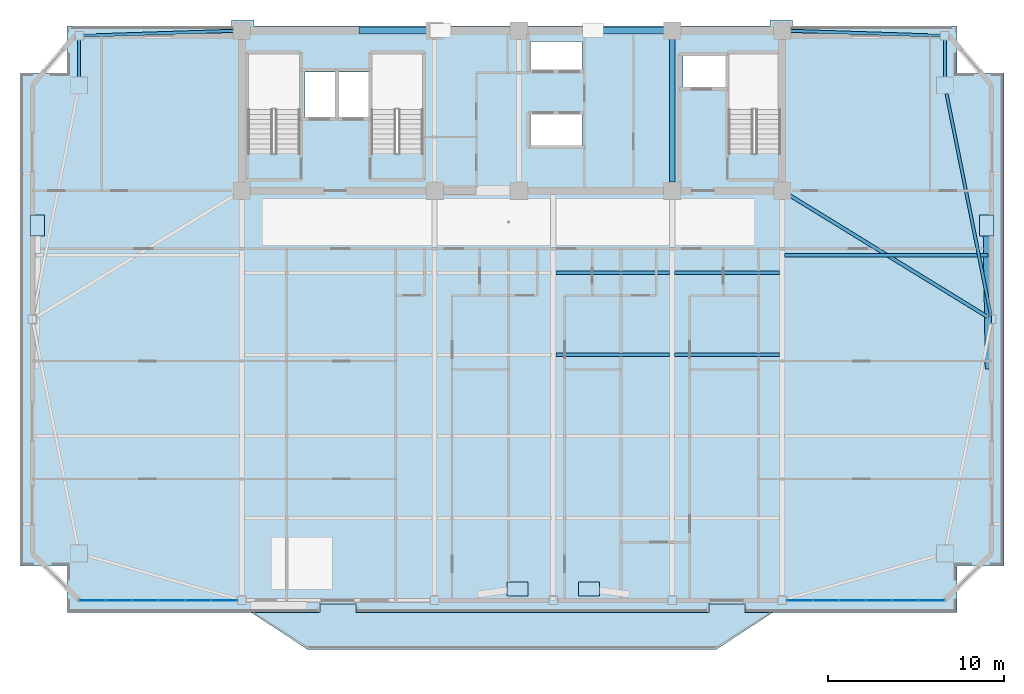
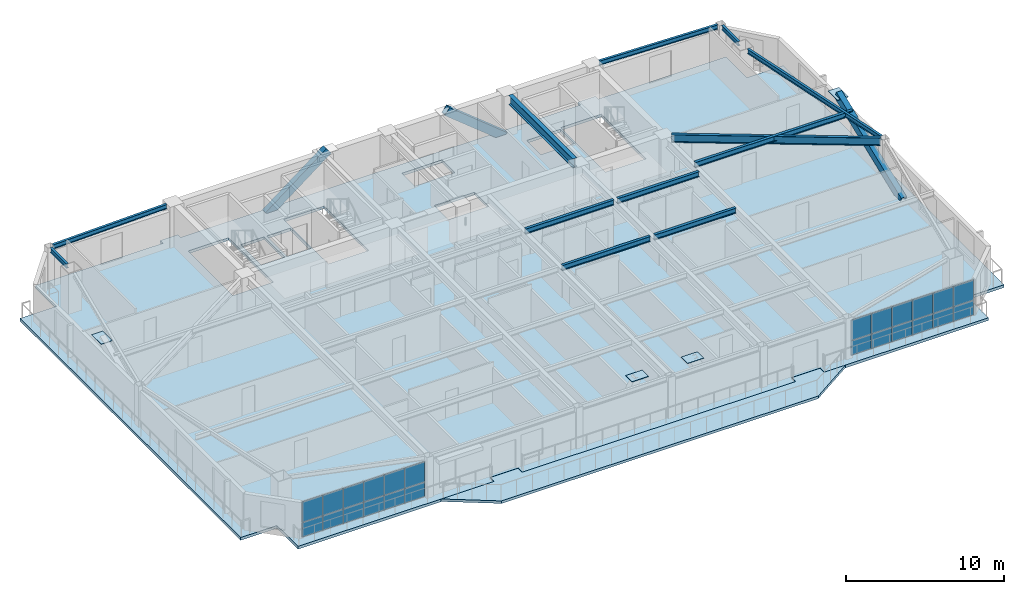
# One storey, part 7 of 19: 28 plates, 12 beams, 3 members, 2 slabs, 2 elements without a shape of their own.
"""IFC4 building model written with IfcOpenShell, lengths in metres."""

from ifc_helpers import new_model, si_unit, direction, frame, origin, origin_2d, place, context, subcontext, project, spatial, polyline, rectangle, hollow_rectangle, i_section, outline, extrude, source, transform, mapped, material, layer, layer_set, material_profile, profile_set, type_object, element, aggregate, save


model = new_model("IFC4")

# Units and contexts
model_context = context("Model", 3, precision=1e-05, world=origin(), true_north=direction((0.0, 1.0)))
body_context = subcontext(model_context, "Body", "Model", "MODEL_VIEW")
ifc_project = project(units=[si_unit("LENGTHUNIT", "METRE"), si_unit("AREAUNIT", "SQUARE_METRE"), si_unit("VOLUMEUNIT", "CUBIC_METRE"), si_unit("PLANEANGLEUNIT", "RADIAN"), si_unit("MASSUNIT", "GRAM", prefix="KILO")], contexts=[model_context])

# Site, building, storey
site_placement = place(None, origin())
site = spatial("IfcSite", under=ifc_project, at=site_placement, CompositionType="ELEMENT")
building_placement = place(site_placement, origin())
building = spatial("IfcBuilding", under=site, at=building_placement, Name="Giltprow Tower", CompositionType="ELEMENT")
storey_placement = place(building_placement, frame((0.0, 0.0, 241.699951171875)))
storey = spatial("IfcBuildingStorey", under=building, at=storey_placement, Name="L61", CompositionType="ELEMENT", Elevation=241.699951171875)

# Beams
ifc_material_1 = material(Name="Structural steel Q355B", Category="steel")
ifc_material_profile_1 = material_profile(ifc_material_1, i_section(OverallWidth=0.300048828125, OverallDepth=0.699951171875, WebThickness=0.012939453125, FlangeThickness=0.02392578125, at=origin_2d()), Name="HN 700x300x13x24")
ifc_profile_set_1 = profile_set([ifc_material_profile_1], Name="Structural steel Q355B")
beam_type_1 = type_object("IfcBeamType", Name="BM-GIRD-HN700", PredefinedType="BEAM", material=ifc_profile_set_1)
shared_shape_1 = source(origin(), body_context, "Body", "SweptSolid", [
    extrude(i_section(OverallWidth=0.300048828125, OverallDepth=0.699951171875, WebThickness=0.012939453125, FlangeThickness=0.02392578125, at=origin_2d()), origin(), (0.0, 0.0, 1.0), 8.1298828125),
])
beam_1_placement = place(storey_placement, frame((44.300048828125, 37.93505859375, 2.8349609375), z_axis=(0.0, 1.0, 0.0), x_axis=(-1.0, 0.0, 0.0)))
element("IfcBeam", 1, at=beam_1_placement, inside=storey, type_object=beam_type_1, Name="L61 Core Tie Girder M3", PredefinedType="BEAM", context=body_context, shape_type="MappedRepresentation", body=[
    mapped(shared_shape_1, transform((0.0, 0.0, 0.0), x_axis=(1.0, 0.0, 0.0), y_axis=(0.0, 1.0, 0.0), z_axis=(0.0, 0.0, 1.0), scale=1.0)),
])
ifc_material_profile_2 = material_profile(ifc_material_1, i_section(OverallWidth=0.199951171875, OverallDepth=0.39990234375, WebThickness=0.008056640625, FlangeThickness=0.012939453125, at=origin_2d()), Name="HN 400x200x8x13")
ifc_profile_set_2 = profile_set([ifc_material_profile_2], Name="Structural steel Q355B")
beam_type_2 = type_object("IfcBeamType", Name="BM-JOIST-HN400", PredefinedType="JOIST", material=ifc_profile_set_2)
shared_shape_2 = source(origin(), body_context, "Body", "SweptSolid", [
    extrude(i_section(OverallWidth=0.199951171875, OverallDepth=0.39990234375, WebThickness=0.008056640625, FlangeThickness=0.012939453125, at=origin_2d()), origin(), (0.0, 0.0, 1.0), 6.4599609375),
])
for number, where, z_axis, x_axis, name in (
    (2, (37.695068359375, 28.14306640625, 2.985107421875), (1.0, 0.0, 0.0), (0.0, 1.0, 0.0), "L61 Composite Floor Joist 3-3"),
    (3, (37.695068359375, 32.7958984375, 2.985107421875), (1.0, 0.0, 0.0), (0.0, 1.0, 0.0), "L61 Composite Floor Joist 4-3"),
):
    element("IfcBeam", number, at=place(storey_placement, frame(where, z_axis=z_axis, x_axis=x_axis)), inside=storey, type_object=beam_type_2, Name=name, PredefinedType="JOIST", context=body_context, shape_type="MappedRepresentation", body=[
        mapped(shared_shape_2, transform((0.0, 0.0, 0.0), x_axis=(1.0, 0.0, 0.0), y_axis=(0.0, 1.0, 0.0), z_axis=(0.0, 0.0, 1.0), scale=1.0)),
    ])
shared_shape_3 = source(origin(), body_context, "Body", "SweptSolid", [
    extrude(i_section(OverallWidth=0.199951171875, OverallDepth=0.39990234375, WebThickness=0.008056640625, FlangeThickness=0.012939453125, at=origin_2d()), origin(), (0.0, 0.0, 1.0), 5.9599609375),
])
for number, where, z_axis, x_axis, name in (
    (4, (44.445068359375, 28.14306640625, 2.985107421875), (1.0, 0.0, 0.0), (0.0, 1.0, 0.0), "L61 Composite Floor Joist 3-4"),
    (5, (44.445068359375, 32.7958984375, 2.985107421875), (1.0, 0.0, 0.0), (0.0, 1.0, 0.0), "L61 Composite Floor Joist 4-4"),
):
    element("IfcBeam", number, at=place(storey_placement, frame(where, z_axis=z_axis, x_axis=x_axis)), inside=storey, type_object=beam_type_2, Name=name, PredefinedType="JOIST", context=body_context, shape_type="MappedRepresentation", body=[
        mapped(shared_shape_3, transform((0.0, 0.0, 0.0), x_axis=(1.0, 0.0, 0.0), y_axis=(0.0, 1.0, 0.0), z_axis=(0.0, 0.0, 1.0), scale=1.0)),
    ])
shared_shape_4 = source(origin(), body_context, "Body", "SweptSolid", [
    extrude(i_section(OverallWidth=0.199951171875, OverallDepth=0.39990234375, WebThickness=0.008056640625, FlangeThickness=0.012939453125, at=origin_2d()), origin(), (0.0, 0.0, 1.0), 11.536865234375),
])
beam_2_placement = place(storey_placement, frame((50.695068359375, 33.7958984375, 2.985107421875), z_axis=(1.0, 0.0, 0.0), x_axis=(0.0, 1.0, 0.0)))
element("IfcBeam", 6, at=beam_2_placement, inside=storey, type_object=beam_type_2, Name="L61 East Wing Floor Joist 2", PredefinedType="JOIST", context=body_context, shape_type="MappedRepresentation", body=[
    mapped(shared_shape_4, transform((0.0, 0.0, 0.0), x_axis=(1.0, 0.0, 0.0), y_axis=(0.0, 1.0, 0.0), z_axis=(0.0, 0.0, 1.0), scale=1.0)),
])
ifc_material_profile_3 = material_profile(ifc_material_1, i_section(OverallWidth=0.175048828125, OverallDepth=0.35009765625, WebThickness=0.007080078125, FlangeThickness=0.010986328125, at=origin_2d()), Name="HN 350x175x7x11")
ifc_profile_set_3 = profile_set([ifc_material_profile_3], Name="Structural steel Q355B")
beam_type_3 = type_object("IfcBeamType", Name="BM-SPAN-HN350", PredefinedType="SPANDREL", material=ifc_profile_set_3)
shared_shape_5 = source(origin(), body_context, "Body", "SweptSolid", [
    extrude(i_section(OverallWidth=0.175048828125, OverallDepth=0.35009765625, WebThickness=0.007080078125, FlangeThickness=0.010986328125, at=origin_2d()), origin(), (0.0, 0.0, 1.0), 12.841552734375),
])
beam_3_placement = place(storey_placement, frame((62.406005859375, 30.37109375, 3.010009765625), z_axis=(-0.196240441892, 0.980555806146, 0.0), x_axis=(-0.980555806146, -0.196240441892, 0.0)))
element("IfcBeam", 7, at=beam_3_placement, inside=storey, type_object=beam_type_3, Name="L61 Perimeter Spandrel Beam E_MID-MC_NE", PredefinedType="SPANDREL", context=body_context, shape_type="MappedRepresentation", body=[
    mapped(shared_shape_5, transform((0.0, 0.0, 0.0), x_axis=(1.0, 0.0, 0.0), y_axis=(0.0, 1.0, 0.0), z_axis=(0.0, 0.0, 1.0), scale=1.0)),
])
shared_shape_6 = source(origin(), body_context, "Body", "SweptSolid", [
    extrude(i_section(OverallWidth=0.175048828125, OverallDepth=0.35009765625, WebThickness=0.007080078125, FlangeThickness=0.010986328125, at=origin_2d()), origin(), (0.0, 0.0, 1.0), 2.0908203125),
])
for number, where, z_axis, x_axis, name in (
    (8, (59.791015625, 43.924072265625, 3.010009765625), (0.0, 1.0, 0.0), (-1.0, 0.0, 0.0), "L61 Perimeter Spandrel Beam MC_NE-N_E"),
    (9, (10.60888671875, 46.014892578125, 3.010009765625), (0.0, -1.0, 0.0), (1.0, 0.0, 0.0), "L61 Perimeter Spandrel Beam N_W-MC_NW"),
):
    element("IfcBeam", number, at=place(storey_placement, frame(where, z_axis=z_axis, x_axis=x_axis)), inside=storey, type_object=beam_type_3, Name=name, PredefinedType="SPANDREL", context=body_context, shape_type="MappedRepresentation", body=[
        mapped(shared_shape_6, transform((0.0, 0.0, 0.0), x_axis=(1.0, 0.0, 0.0), y_axis=(0.0, 1.0, 0.0), z_axis=(0.0, 0.0, 1.0), scale=1.0)),
    ])
shared_shape_7 = source(origin(), body_context, "Body", "SweptSolid", [
    extrude(i_section(OverallWidth=0.175048828125, OverallDepth=0.35009765625, WebThickness=0.007080078125, FlangeThickness=0.010986328125, at=origin_2d()), origin(), (0.0, 0.0, 1.0), 8.525390625),
])
for number, where, z_axis, x_axis, name in (
    (10, (10.843994140625, 46.258056640625, 3.010009765625), (0.999476297078, 0.032359412518, 0.0), (-0.032359412518, 0.999476297078, 0.0), "L61 North Wing Spandrel W"),
    (11, (51.034912109375, 46.533935546875, 3.010009765625), (0.999476297078, -0.032359412518, 0.0), (0.032359412518, 0.999476297078, 0.0), "L61 North Wing Spandrel E"),
):
    element("IfcBeam", number, at=place(storey_placement, frame(where, z_axis=z_axis, x_axis=x_axis)), inside=storey, type_object=beam_type_3, Name=name, PredefinedType="SPANDREL", context=body_context, shape_type="MappedRepresentation", body=[
        mapped(shared_shape_7, transform((0.0, 0.0, 0.0), x_axis=(1.0, 0.0, 0.0), y_axis=(0.0, 1.0, 0.0), z_axis=(0.0, 0.0, 1.0), scale=1.0)),
    ])
ifc_material_profile_4 = material_profile(ifc_material_1, i_section(OverallWidth=0.199951171875, OverallDepth=0.60009765625, WebThickness=0.010986328125, FlangeThickness=0.01708984375, at=origin_2d()), Name="HN 600x200x11x17")
ifc_profile_set_4 = profile_set([ifc_material_profile_4], Name="Structural steel Q355B")
beam_type_4 = type_object("IfcBeamType", Name="BM-GIRD-HN600", PredefinedType="BEAM", material=ifc_profile_set_4)
shared_shape_8 = source(origin(), body_context, "Body", "SweptSolid", [
    extrude(i_section(OverallWidth=0.199951171875, OverallDepth=0.60009765625, WebThickness=0.010986328125, FlangeThickness=0.01708984375, at=origin_2d()), origin(), (0.0, 0.0, 1.0), 13.24755859375),
])
beam_4_placement = place(storey_placement, frame((62.251953125, 30.263916015625, 2.885009765625), z_axis=(-0.852162863713, 0.523276651217, 0.0), x_axis=(-0.523276651217, -0.852162863713, 0.0)))
element("IfcBeam", 12, at=beam_4_placement, inside=storey, type_object=beam_type_4, Name="L61 East Wing Primary Girder", PredefinedType="BEAM", context=body_context, shape_type="MappedRepresentation", body=[
    mapped(shared_shape_8, transform((0.0, 0.0, 0.0), x_axis=(1.0, 0.0, 0.0), y_axis=(0.0, 1.0, 0.0), z_axis=(0.0, 0.0, 1.0), scale=1.0)),
])

# Members
ifc_material_2 = material(Name="Structural steel Q420GJC", Category="steel")
ifc_material_profile_5 = material_profile(ifc_material_2, hollow_rectangle(XDim=0.39990234375, YDim=0.60009765625, WallThickness=0.028076171875, at=origin_2d()), Name="RHS 600x400x28")
ifc_profile_set_5 = profile_set([ifc_material_profile_5], Name="Structural steel Q420GJC")
member_type = type_object("IfcMemberType", Name="MBR-MEGA-RHS600", PredefinedType="BRACE", material=ifc_profile_set_5)
shared_shape_9 = source(origin(), body_context, "Body", "SweptSolid", [
    extrude(hollow_rectangle(XDim=0.39990234375, YDim=0.60009765625, WallThickness=0.028076171875, at=origin_2d()), origin(), (0.0, 0.0, 1.0), 5.6025390625),
])
member_1_placement = place(storey_placement, frame((26.694091796875, 46.550048828125, -0.139892578125), z_axis=(0.794809087367, 0.0, 0.606859550999), x_axis=(0.0, 1.0, 0.0)))
element("IfcMember", 13, at=member_1_placement, inside=storey, type_object=member_type, Name="L61 Chevron Mega-Brace N-L", PredefinedType="BRACE", context=body_context, shape_type="MappedRepresentation", body=[
    mapped(shared_shape_9, transform((0.0, 0.0, 0.0), x_axis=(1.0, 0.0, 0.0), y_axis=(0.0, 1.0, 0.0), z_axis=(0.0, 0.0, 1.0), scale=1.0)),
])
shared_shape_10 = source(origin(), body_context, "Body", "SweptSolid", [
    extrude(hollow_rectangle(XDim=0.39990234375, YDim=0.60009765625, WallThickness=0.028076171875, at=origin_2d()), origin(), (0.0, 0.0, 1.0), 5.41357421875),
])
member_2_placement = place(storey_placement, frame((44.02490234375, 46.550048828125, -0.139892578125), z_axis=(-0.778195468925, 0.0, 0.628022143037), x_axis=(0.0, -1.0, 0.0)))
element("IfcMember", 14, at=member_2_placement, inside=storey, type_object=member_type, Name="L61 Chevron Mega-Brace N-R", PredefinedType="BRACE", context=body_context, shape_type="MappedRepresentation", body=[
    mapped(shared_shape_10, transform((0.0, 0.0, 0.0), x_axis=(1.0, 0.0, 0.0), y_axis=(0.0, 1.0, 0.0), z_axis=(0.0, 0.0, 1.0), scale=1.0)),
])
shared_shape_11 = source(origin(), body_context, "Body", "SweptSolid", [
    extrude(hollow_rectangle(XDim=0.39990234375, YDim=0.60009765625, WallThickness=0.028076171875, at=origin_2d()), origin(), (0.0, 0.0, 1.0), 8.708251953125),
])
member_3_placement = place(storey_placement, frame((62.287109375, 27.452880859375, 0.0), z_axis=(-0.014354102589, 0.920512899204, 0.390448411622), x_axis=(-0.999878442112, -0.015591696484, 0.0)))
element("IfcMember", 15, at=member_3_placement, inside=storey, type_object=member_type, Name="L61 Chevron Mega-Brace E-D", PredefinedType="BRACE", context=body_context, shape_type="MappedRepresentation", body=[
    mapped(shared_shape_11, transform((0.0, 0.0, 0.0), x_axis=(1.0, 0.0, 0.0), y_axis=(0.0, 1.0, 0.0), z_axis=(0.0, 0.0, 1.0), scale=1.0)),
])

# Slabs
ifc_material_3 = material(Name="Concrete C40", Category="concrete")
ifc_layer_1 = layer(ifc_material_3, 0.199951171875, Name="Concrete C40")
ifc_layer_set_1 = layer_set([ifc_layer_1], Name="Concrete C40")
slab_type_1 = type_object("IfcSlabType", Name="SLB-BALC-BRONZE-200", PredefinedType="FLOOR", material=ifc_layer_set_1)
slab_1_placement = place(storey_placement, frame((0.0, 0.0, -0.199951171875)))
element("IfcSlab", 16, at=slab_1_placement, inside=storey, type_object=slab_type_1, Name="L61 Bronze Prow Waterfront Balcony Slab", PredefinedType="FLOOR", context=body_context, shape_type="SweptSolid", body=[
    extrude(outline(polyline([(50.0, 13.48193359375), (46.800048828125, 11.382080078125), (23.60009765625, 11.382080078125), (20.39990234375, 13.48193359375), (24.280029296875, 13.48193359375), (24.280029296875, 13.98193359375), (26.320068359375, 13.98193359375), (26.320068359375, 13.48193359375), (46.3798828125, 13.48193359375), (46.3798828125, 13.98193359375), (48.419921875, 13.98193359375), (48.419921875, 13.48193359375), (50.0, 13.48193359375)])), origin(), (0.0, 0.0, 1.0), 0.199951171875),
])
ifc_layer_2 = layer(ifc_material_3, 0.215087890625, Name="Concrete C40")
ifc_layer_set_2 = layer_set([ifc_layer_2], Name="Concrete C40")
slab_type_2 = type_object("IfcSlabType", Name="SLB-RES-215", PredefinedType="FLOOR", material=ifc_layer_set_2)
slab_2_placement = place(storey_placement, frame((0.0, 0.0, -0.21484375)))
element("IfcSlab", 17, at=slab_2_placement, inside=storey, type_object=slab_type_2, Name="L61 Structural Composite Floor Slab", PredefinedType="FLOOR", context=body_context, shape_type="SweptSolid", body=[
    extrude(outline(polyline([(63.152099609375, 44.138916015625), (63.152099609375, 16.14306640625), (60.490966796875, 16.14306640625), (60.490966796875, 13.48193359375), (48.449951171875, 13.48193359375), (48.449951171875, 14.001953125), (46.35009765625, 14.001953125), (46.35009765625, 13.48193359375), (26.35009765625, 13.48193359375), (26.35009765625, 14.001953125), (24.25, 14.001953125), (24.25, 13.48193359375), (9.908935546875, 13.48193359375), (9.908935546875, 16.14306640625), (7.248046875, 16.14306640625), (7.248046875, 44.138916015625), (9.908935546875, 44.138916015625), (9.908935546875, 46.800048828125), (19.25, 46.800048828125), (19.25, 47.14990234375), (20.550048828125, 47.14990234375), (20.550048828125, 46.800048828125), (49.85009765625, 46.800048828125), (49.85009765625, 47.14990234375), (51.14990234375, 47.14990234375), (51.14990234375, 46.800048828125), (60.490966796875, 46.800048828125), (60.490966796875, 44.138916015625), (63.152099609375, 44.138916015625)]), holes=[polyline([(39.18994140625, 41.800048828125), (36.239990234375, 41.800048828125), (36.239990234375, 40.0), (39.18994140625, 40.0), (39.18994140625, 41.800048828125)]), polyline([(23.159912109375, 39.570068359375), (23.159912109375, 45.25), (20.199951171875, 45.25), (20.199951171875, 39.570068359375), (23.159912109375, 39.570068359375)]), polyline([(30.159912109375, 39.570068359375), (30.159912109375, 45.25), (27.199951171875, 45.25), (27.199951171875, 39.570068359375), (30.159912109375, 39.570068359375)]), polyline([(50.4599609375, 45.25), (47.5, 45.25), (47.5, 39.570068359375), (50.4599609375, 39.570068359375), (50.4599609375, 45.25)]), polyline([(25.169921875, 44.199951171875), (23.449951171875, 44.199951171875), (23.449951171875, 41.60009765625), (25.169921875, 41.60009765625), (25.169921875, 44.199951171875)]), polyline([(27.10009765625, 44.199951171875), (25.35009765625, 44.199951171875), (25.35009765625, 41.60009765625), (27.10009765625, 41.60009765625), (27.10009765625, 44.199951171875)]), polyline([(47.3798828125, 43.300048828125), (47.3798828125, 45.10009765625), (44.919921875, 45.10009765625), (44.919921875, 43.300048828125), (47.3798828125, 43.300048828125)]), polyline([(39.18994140625, 44.300048828125), (39.18994140625, 45.919921875), (36.239990234375, 45.919921875), (36.239990234375, 44.300048828125), (39.18994140625, 44.300048828125)])]), origin(), (0.0, 0.0, 1.0), 0.21484375),
])

# Plates
plate_type_1 = type_object("IfcPlateType", Name="PLT-CAP-SEAL", PredefinedType="USERDEFINED", material=ifc_material_2)
shared_shape_12 = source(origin(), body_context, "Body", "SweptSolid", [
    extrude(rectangle(XDim=1.199951171875, YDim=0.800048828125, at=origin_2d()), origin(), (0.0, 0.0, 1.0), 0.034912109375),
])
for number, where, z_axis, x_axis, name in (
    (18, (35.51904296875, 14.8330078125, 3.3828125), (0.0, 0.0, 1.0), (1.0, 0.0, 0.0), "Mega-Brace Node L61-S-LB"),
    (19, (39.5810546875, 14.8330078125, 3.3828125), (0.0, 0.0, 1.0), (1.0, 0.0, 0.0), "Mega-Brace Node L61-S-RB"),
    (20, (8.239013671875, 35.468994140625, 3.3828125), (0.0, 0.0, 1.0), (0.0, 1.0, 0.0), "Mega-Brace Node L61-W-DB"),
    (21, (62.162109375, 35.468994140625, 3.3828125), (0.0, 0.0, 1.0), (0.0, 1.0, 0.0), "Mega-Brace Node L61-E-DB"),
):
    element("IfcPlate", number, at=place(storey_placement, frame(where, z_axis=z_axis, x_axis=x_axis)), inside=storey, type_object=plate_type_1, Name=name, ObjectType="SPLICE", PredefinedType="USERDEFINED", context=body_context, shape_type="MappedRepresentation", body=[
        mapped(shared_shape_12, transform((0.0, 0.0, 0.0), x_axis=(1.0, 0.0, 0.0), y_axis=(0.0, 1.0, 0.0), z_axis=(0.0, 0.0, 1.0), scale=1.0)),
    ])

# Curtain wall, plates
ifc_material_4 = material(Name="Anodized bronze", Category="metal")
ifc_layer_3 = layer(ifc_material_4, 0.179931640625, Name="Anodized bronze")
ifc_layer_set_3 = layer_set([ifc_layer_3], Name="Anodized bronze")
curtain_wall_type = type_object("IfcCurtainWallType", Name="CW-RES-SKY", PredefinedType="NOTDEFINED", material=ifc_layer_set_3)
curtain_wall_1_placement = place(storey_placement, origin())
curtain_wall_1 = element("IfcCurtainWall", 22, at=curtain_wall_1_placement, inside=storey, type_object=curtain_wall_type, Name="L61 South Recessed Curtain Wall 1", PredefinedType="NOTDEFINED")
ifc_material_5 = material(Name="Insulated glass", Category="glass")
plate_type_2 = type_object("IfcPlateType", Name="CW-PANEL-IGU-28", PredefinedType="CURTAIN_PANEL", material=ifc_material_5)
shared_shape_13 = source(origin(), body_context, "Body", "SweptSolid", [
    extrude(rectangle(XDim=1.468994140625, YDim=0.028076171875, at=origin_2d()), origin(), (0.0, 0.0, 1.0), 1.114013671875),
])
plate_1_placement = place(storey_placement, frame((11.35791015625, 14.181884765625, 0.05419921875), z_axis=(0.0, 0.0, 1.0), x_axis=(1.0, 0.0, 0.0)))
plate_1 = element("IfcPlate", 23, at=plate_1_placement, type_object=plate_type_2, Name="L61 South Recessed Curtain Wall 1 Glazing Panel 1-1", PredefinedType="CURTAIN_PANEL", context=body_context, shape_type="MappedRepresentation", body=[
    mapped(shared_shape_13, transform((0.0, 0.0, 0.0), x_axis=(1.0, 0.0, 0.0), y_axis=(0.0, 1.0, 0.0), z_axis=(0.0, 0.0, 1.0), scale=1.0)),
])
plate_2_placement = place(storey_placement, frame((12.85693359375, 14.181884765625, 0.05419921875), z_axis=(0.0, 0.0, 1.0), x_axis=(1.0, 0.0, 0.0)))
plate_2 = element("IfcPlate", 24, at=plate_2_placement, type_object=plate_type_2, Name="L61 South Recessed Curtain Wall 1 Glazing Panel 2-1", PredefinedType="CURTAIN_PANEL", context=body_context, shape_type="MappedRepresentation", body=[
    mapped(shared_shape_13, transform((0.0, 0.0, 0.0), x_axis=(1.0, 0.0, 0.0), y_axis=(0.0, 1.0, 0.0), z_axis=(0.0, 0.0, 1.0), scale=1.0)),
])
plate_3_placement = place(storey_placement, frame((14.35498046875, 14.181884765625, 0.05419921875), z_axis=(0.0, 0.0, 1.0), x_axis=(1.0, 0.0, 0.0)))
plate_3 = element("IfcPlate", 25, at=plate_3_placement, type_object=plate_type_2, Name="L61 South Recessed Curtain Wall 1 Glazing Panel 3-1", PredefinedType="CURTAIN_PANEL", context=body_context, shape_type="MappedRepresentation", body=[
    mapped(shared_shape_13, transform((0.0, 0.0, 0.0), x_axis=(1.0, 0.0, 0.0), y_axis=(0.0, 1.0, 0.0), z_axis=(0.0, 0.0, 1.0), scale=1.0)),
])
plate_4_placement = place(storey_placement, frame((15.85400390625, 14.181884765625, 0.05419921875), z_axis=(0.0, 0.0, 1.0), x_axis=(1.0, 0.0, 0.0)))
plate_4 = element("IfcPlate", 26, at=plate_4_placement, type_object=plate_type_2, Name="L61 South Recessed Curtain Wall 1 Glazing Panel 4-1", PredefinedType="CURTAIN_PANEL", context=body_context, shape_type="MappedRepresentation", body=[
    mapped(shared_shape_13, transform((0.0, 0.0, 0.0), x_axis=(1.0, 0.0, 0.0), y_axis=(0.0, 1.0, 0.0), z_axis=(0.0, 0.0, 1.0), scale=1.0)),
])
plate_5_placement = place(storey_placement, frame((17.35205078125, 14.181884765625, 0.05419921875), z_axis=(0.0, 0.0, 1.0), x_axis=(1.0, 0.0, 0.0)))
plate_5 = element("IfcPlate", 27, at=plate_5_placement, type_object=plate_type_2, Name="L61 South Recessed Curtain Wall 1 Glazing Panel 5-1", PredefinedType="CURTAIN_PANEL", context=body_context, shape_type="MappedRepresentation", body=[
    mapped(shared_shape_13, transform((0.0, 0.0, 0.0), x_axis=(1.0, 0.0, 0.0), y_axis=(0.0, 1.0, 0.0), z_axis=(0.0, 0.0, 1.0), scale=1.0)),
])
plate_6_placement = place(storey_placement, frame((18.85107421875, 14.181884765625, 0.05419921875), z_axis=(0.0, 0.0, 1.0), x_axis=(1.0, 0.0, 0.0)))
plate_6 = element("IfcPlate", 28, at=plate_6_placement, type_object=plate_type_2, Name="L61 South Recessed Curtain Wall 1 Glazing Panel 6-1", PredefinedType="CURTAIN_PANEL", context=body_context, shape_type="MappedRepresentation", body=[
    mapped(shared_shape_13, transform((0.0, 0.0, 0.0), x_axis=(1.0, 0.0, 0.0), y_axis=(0.0, 1.0, 0.0), z_axis=(0.0, 0.0, 1.0), scale=1.0)),
])

curtain_wall_2_placement = place(storey_placement, origin())
curtain_wall_2 = element("IfcCurtainWall", 29, at=curtain_wall_2_placement, inside=storey, type_object=curtain_wall_type, Name="L61 South Recessed Curtain Wall 6", PredefinedType="NOTDEFINED")
plate_7_placement = place(storey_placement, frame((51.549072265625, 14.181884765625, 0.05419921875), z_axis=(0.0, 0.0, 1.0), x_axis=(1.0, 0.0, 0.0)))
plate_7 = element("IfcPlate", 30, at=plate_7_placement, type_object=plate_type_2, Name="L61 South Recessed Curtain Wall 6 Glazing Panel 1-1", PredefinedType="CURTAIN_PANEL", context=body_context, shape_type="MappedRepresentation", body=[
    mapped(shared_shape_13, transform((0.0, 0.0, 0.0), x_axis=(1.0, 0.0, 0.0), y_axis=(0.0, 1.0, 0.0), z_axis=(0.0, 0.0, 1.0), scale=1.0)),
])
plate_8_placement = place(storey_placement, frame((56.044921875, 14.181884765625, 0.05419921875), z_axis=(0.0, 0.0, 1.0), x_axis=(1.0, 0.0, 0.0)))
plate_8 = element("IfcPlate", 31, at=plate_8_placement, type_object=plate_type_2, Name="L61 South Recessed Curtain Wall 6 Glazing Panel 4-1", PredefinedType="CURTAIN_PANEL", context=body_context, shape_type="MappedRepresentation", body=[
    mapped(shared_shape_13, transform((0.0, 0.0, 0.0), x_axis=(1.0, 0.0, 0.0), y_axis=(0.0, 1.0, 0.0), z_axis=(0.0, 0.0, 1.0), scale=1.0)),
])
plate_9_placement = place(storey_placement, frame((57.54296875, 14.181884765625, 0.05419921875), z_axis=(0.0, 0.0, 1.0), x_axis=(1.0, 0.0, 0.0)))
plate_9 = element("IfcPlate", 32, at=plate_9_placement, type_object=plate_type_2, Name="L61 South Recessed Curtain Wall 6 Glazing Panel 5-1", PredefinedType="CURTAIN_PANEL", context=body_context, shape_type="MappedRepresentation", body=[
    mapped(shared_shape_13, transform((0.0, 0.0, 0.0), x_axis=(1.0, 0.0, 0.0), y_axis=(0.0, 1.0, 0.0), z_axis=(0.0, 0.0, 1.0), scale=1.0)),
])
plate_10_placement = place(storey_placement, frame((59.0419921875, 14.181884765625, 0.05419921875), z_axis=(0.0, 0.0, 1.0), x_axis=(1.0, 0.0, 0.0)))
plate_10 = element("IfcPlate", 33, at=plate_10_placement, type_object=plate_type_2, Name="L61 South Recessed Curtain Wall 6 Glazing Panel 6-1", PredefinedType="CURTAIN_PANEL", context=body_context, shape_type="MappedRepresentation", body=[
    mapped(shared_shape_13, transform((0.0, 0.0, 0.0), x_axis=(1.0, 0.0, 0.0), y_axis=(0.0, 1.0, 0.0), z_axis=(0.0, 0.0, 1.0), scale=1.0)),
])

# Plate
shared_shape_14 = source(origin(), body_context, "Body", "SweptSolid", [
    extrude(rectangle(XDim=1.468994140625, YDim=0.028076171875, at=origin_2d()), origin(), (0.0, 0.0, 1.0), 1.56494140625),
])
plate_11_placement = place(storey_placement, frame((11.35791015625, 14.181884765625, 1.195556640625), z_axis=(0.0, 0.0, 1.0), x_axis=(1.0, 0.0, 0.0)))
plate_11 = element("IfcPlate", 34, at=plate_11_placement, type_object=plate_type_2, Name="L61 South Recessed Curtain Wall 1 Glazing Panel 1-2", PredefinedType="CURTAIN_PANEL", context=body_context, shape_type="MappedRepresentation", body=[
    mapped(shared_shape_14, transform((0.0, 0.0, 0.0), x_axis=(1.0, 0.0, 0.0), y_axis=(0.0, 1.0, 0.0), z_axis=(0.0, 0.0, 1.0), scale=1.0)),
])

plate_12_placement = place(storey_placement, frame((12.85693359375, 14.181884765625, 1.195556640625), z_axis=(0.0, 0.0, 1.0), x_axis=(1.0, 0.0, 0.0)))
plate_12 = element("IfcPlate", 35, at=plate_12_placement, type_object=plate_type_2, Name="L61 South Recessed Curtain Wall 1 Glazing Panel 2-2", PredefinedType="CURTAIN_PANEL", context=body_context, shape_type="MappedRepresentation", body=[
    mapped(shared_shape_14, transform((0.0, 0.0, 0.0), x_axis=(1.0, 0.0, 0.0), y_axis=(0.0, 1.0, 0.0), z_axis=(0.0, 0.0, 1.0), scale=1.0)),
])

plate_13_placement = place(storey_placement, frame((14.35498046875, 14.181884765625, 1.195556640625), z_axis=(0.0, 0.0, 1.0), x_axis=(1.0, 0.0, 0.0)))
plate_13 = element("IfcPlate", 36, at=plate_13_placement, type_object=plate_type_2, Name="L61 South Recessed Curtain Wall 1 Glazing Panel 3-2", PredefinedType="CURTAIN_PANEL", context=body_context, shape_type="MappedRepresentation", body=[
    mapped(shared_shape_14, transform((0.0, 0.0, 0.0), x_axis=(1.0, 0.0, 0.0), y_axis=(0.0, 1.0, 0.0), z_axis=(0.0, 0.0, 1.0), scale=1.0)),
])

plate_14_placement = place(storey_placement, frame((15.85400390625, 14.181884765625, 1.195556640625), z_axis=(0.0, 0.0, 1.0), x_axis=(1.0, 0.0, 0.0)))
plate_14 = element("IfcPlate", 37, at=plate_14_placement, type_object=plate_type_2, Name="L61 South Recessed Curtain Wall 1 Glazing Panel 4-2", PredefinedType="CURTAIN_PANEL", context=body_context, shape_type="MappedRepresentation", body=[
    mapped(shared_shape_14, transform((0.0, 0.0, 0.0), x_axis=(1.0, 0.0, 0.0), y_axis=(0.0, 1.0, 0.0), z_axis=(0.0, 0.0, 1.0), scale=1.0)),
])

plate_15_placement = place(storey_placement, frame((17.35205078125, 14.181884765625, 1.195556640625), z_axis=(0.0, 0.0, 1.0), x_axis=(1.0, 0.0, 0.0)))
plate_15 = element("IfcPlate", 38, at=plate_15_placement, type_object=plate_type_2, Name="L61 South Recessed Curtain Wall 1 Glazing Panel 5-2", PredefinedType="CURTAIN_PANEL", context=body_context, shape_type="MappedRepresentation", body=[
    mapped(shared_shape_14, transform((0.0, 0.0, 0.0), x_axis=(1.0, 0.0, 0.0), y_axis=(0.0, 1.0, 0.0), z_axis=(0.0, 0.0, 1.0), scale=1.0)),
])

plate_16_placement = place(storey_placement, frame((18.85107421875, 14.181884765625, 1.195556640625), z_axis=(0.0, 0.0, 1.0), x_axis=(1.0, 0.0, 0.0)))
plate_16 = element("IfcPlate", 39, at=plate_16_placement, type_object=plate_type_2, Name="L61 South Recessed Curtain Wall 1 Glazing Panel 6-2", PredefinedType="CURTAIN_PANEL", context=body_context, shape_type="MappedRepresentation", body=[
    mapped(shared_shape_14, transform((0.0, 0.0, 0.0), x_axis=(1.0, 0.0, 0.0), y_axis=(0.0, 1.0, 0.0), z_axis=(0.0, 0.0, 1.0), scale=1.0)),
])

aggregate(curtain_wall_1, [plate_1, plate_11, plate_2, plate_12, plate_3, plate_13, plate_4, plate_14, plate_5, plate_15, plate_6, plate_16])

plate_17_placement = place(storey_placement, frame((51.549072265625, 14.181884765625, 1.195556640625), z_axis=(0.0, 0.0, 1.0), x_axis=(1.0, 0.0, 0.0)))
plate_17 = element("IfcPlate", 40, at=plate_17_placement, type_object=plate_type_2, Name="L61 South Recessed Curtain Wall 6 Glazing Panel 1-2", PredefinedType="CURTAIN_PANEL", context=body_context, shape_type="MappedRepresentation", body=[
    mapped(shared_shape_14, transform((0.0, 0.0, 0.0), x_axis=(1.0, 0.0, 0.0), y_axis=(0.0, 1.0, 0.0), z_axis=(0.0, 0.0, 1.0), scale=1.0)),
])

plate_18_placement = place(storey_placement, frame((56.044921875, 14.181884765625, 1.195556640625), z_axis=(0.0, 0.0, 1.0), x_axis=(1.0, 0.0, 0.0)))
plate_18 = element("IfcPlate", 41, at=plate_18_placement, type_object=plate_type_2, Name="L61 South Recessed Curtain Wall 6 Glazing Panel 4-2", PredefinedType="CURTAIN_PANEL", context=body_context, shape_type="MappedRepresentation", body=[
    mapped(shared_shape_14, transform((0.0, 0.0, 0.0), x_axis=(1.0, 0.0, 0.0), y_axis=(0.0, 1.0, 0.0), z_axis=(0.0, 0.0, 1.0), scale=1.0)),
])

plate_19_placement = place(storey_placement, frame((57.54296875, 14.181884765625, 1.195556640625), z_axis=(0.0, 0.0, 1.0), x_axis=(1.0, 0.0, 0.0)))
plate_19 = element("IfcPlate", 42, at=plate_19_placement, type_object=plate_type_2, Name="L61 South Recessed Curtain Wall 6 Glazing Panel 5-2", PredefinedType="CURTAIN_PANEL", context=body_context, shape_type="MappedRepresentation", body=[
    mapped(shared_shape_14, transform((0.0, 0.0, 0.0), x_axis=(1.0, 0.0, 0.0), y_axis=(0.0, 1.0, 0.0), z_axis=(0.0, 0.0, 1.0), scale=1.0)),
])

plate_20_placement = place(storey_placement, frame((59.0419921875, 14.181884765625, 1.195556640625), z_axis=(0.0, 0.0, 1.0), x_axis=(1.0, 0.0, 0.0)))
plate_20 = element("IfcPlate", 43, at=plate_20_placement, type_object=plate_type_2, Name="L61 South Recessed Curtain Wall 6 Glazing Panel 6-2", PredefinedType="CURTAIN_PANEL", context=body_context, shape_type="MappedRepresentation", body=[
    mapped(shared_shape_14, transform((0.0, 0.0, 0.0), x_axis=(1.0, 0.0, 0.0), y_axis=(0.0, 1.0, 0.0), z_axis=(0.0, 0.0, 1.0), scale=1.0)),
])

shared_shape_15 = source(origin(), body_context, "Body", "SweptSolid", [
    extrude(rectangle(XDim=1.468017578125, YDim=0.028076171875, at=origin_2d()), origin(), (0.0, 0.0, 1.0), 1.114013671875),
])
plate_21_placement = place(storey_placement, frame((53.048095703125, 14.181884765625, 0.05419921875), z_axis=(0.0, 0.0, 1.0), x_axis=(1.0, 0.0, 0.0)))
plate_21 = element("IfcPlate", 44, at=plate_21_placement, type_object=plate_type_2, Name="L61 South Recessed Curtain Wall 6 Glazing Panel 2-1", PredefinedType="CURTAIN_PANEL", context=body_context, shape_type="MappedRepresentation", body=[
    mapped(shared_shape_15, transform((0.0, 0.0, 0.0), x_axis=(1.0, 0.0, 0.0), y_axis=(0.0, 1.0, 0.0), z_axis=(0.0, 0.0, 1.0), scale=1.0)),
])

plate_22_placement = place(storey_placement, frame((54.5458984375, 14.181884765625, 0.05419921875), z_axis=(0.0, 0.0, 1.0), x_axis=(1.0, 0.0, 0.0)))
plate_22 = element("IfcPlate", 45, at=plate_22_placement, type_object=plate_type_2, Name="L61 South Recessed Curtain Wall 6 Glazing Panel 3-1", PredefinedType="CURTAIN_PANEL", context=body_context, shape_type="MappedRepresentation", body=[
    mapped(shared_shape_15, transform((0.0, 0.0, 0.0), x_axis=(1.0, 0.0, 0.0), y_axis=(0.0, 1.0, 0.0), z_axis=(0.0, 0.0, 1.0), scale=1.0)),
])

shared_shape_16 = source(origin(), body_context, "Body", "SweptSolid", [
    extrude(rectangle(XDim=1.468017578125, YDim=0.028076171875, at=origin_2d()), origin(), (0.0, 0.0, 1.0), 1.56494140625),
])
plate_23_placement = place(storey_placement, frame((53.048095703125, 14.181884765625, 1.195556640625), z_axis=(0.0, 0.0, 1.0), x_axis=(1.0, 0.0, 0.0)))
plate_23 = element("IfcPlate", 46, at=plate_23_placement, type_object=plate_type_2, Name="L61 South Recessed Curtain Wall 6 Glazing Panel 2-2", PredefinedType="CURTAIN_PANEL", context=body_context, shape_type="MappedRepresentation", body=[
    mapped(shared_shape_16, transform((0.0, 0.0, 0.0), x_axis=(1.0, 0.0, 0.0), y_axis=(0.0, 1.0, 0.0), z_axis=(0.0, 0.0, 1.0), scale=1.0)),
])

plate_24_placement = place(storey_placement, frame((54.5458984375, 14.181884765625, 1.195556640625), z_axis=(0.0, 0.0, 1.0), x_axis=(1.0, 0.0, 0.0)))
plate_24 = element("IfcPlate", 47, at=plate_24_placement, type_object=plate_type_2, Name="L61 South Recessed Curtain Wall 6 Glazing Panel 3-2", PredefinedType="CURTAIN_PANEL", context=body_context, shape_type="MappedRepresentation", body=[
    mapped(shared_shape_16, transform((0.0, 0.0, 0.0), x_axis=(1.0, 0.0, 0.0), y_axis=(0.0, 1.0, 0.0), z_axis=(0.0, 0.0, 1.0), scale=1.0)),
])

aggregate(curtain_wall_2, [plate_7, plate_17, plate_21, plate_23, plate_22, plate_24, plate_8, plate_18, plate_9, plate_19, plate_10, plate_20])

save(model, "model.ifc")
